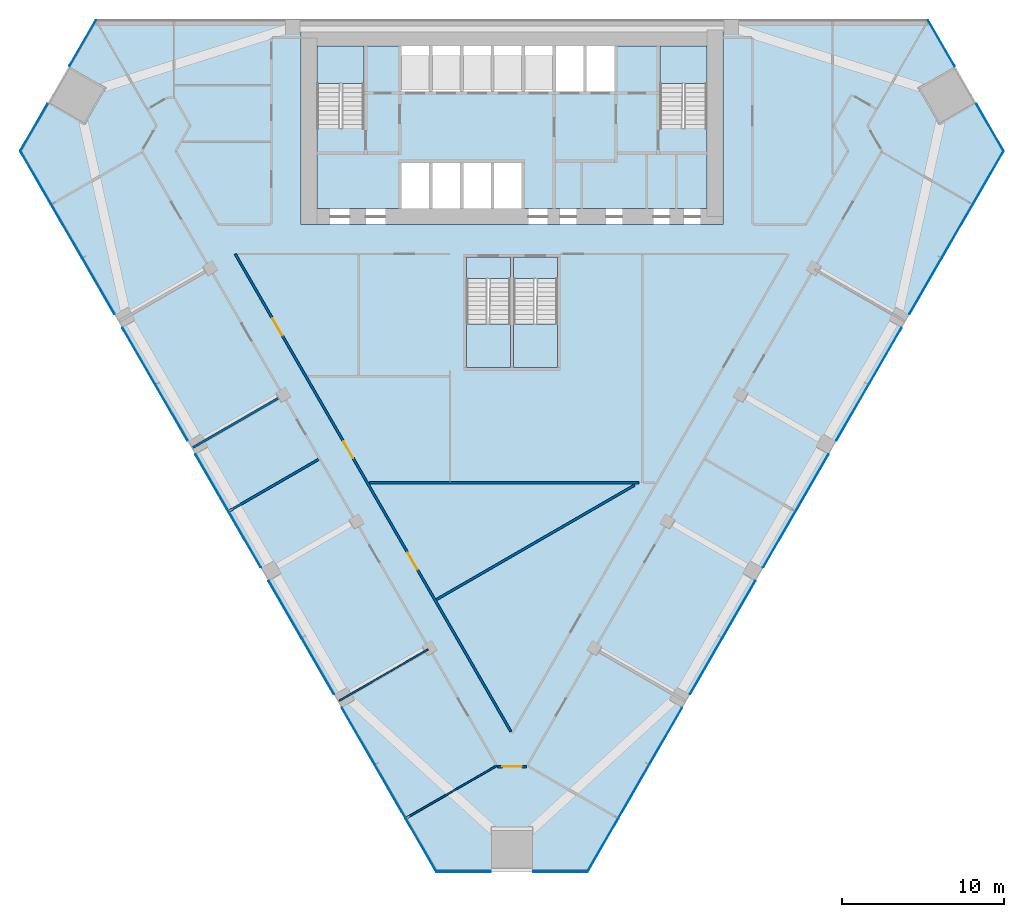
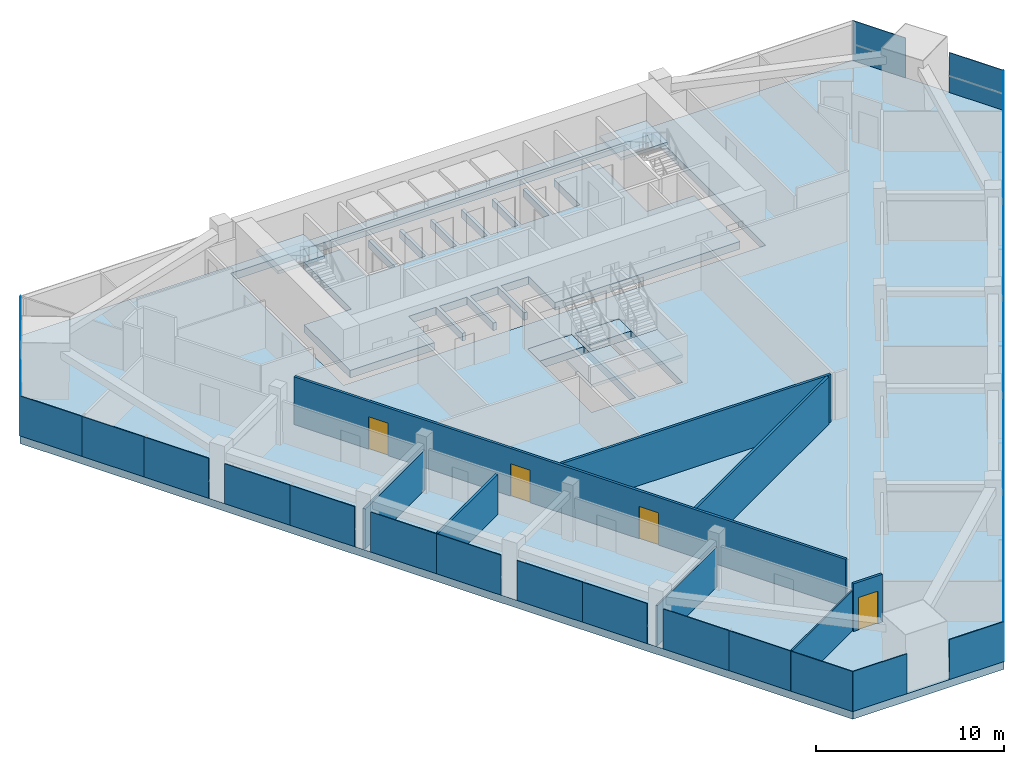
# One storey, part 8 of 13: 30 plates, 8 slabs, 8 walls, 4 doors, 4 openings, 9 elements without a shape of their own.
"""IFC4 building model written with IfcOpenShell, lengths in metres."""

from ifc_helpers import new_model, si_unit, direction, frame, frame_2d, origin, origin_2d, place, context, subcontext, project, spatial, polyline, rectangle, outline, extrude, material, layer, layer_set, type_object, element, fill, aggregate, save


model = new_model("IFC4")

# Units and contexts
model_context = context("Model", 3, precision=1e-05, world=origin(), true_north=direction((0.0, 1.0)))
body_context = subcontext(model_context, "Body", "Model", "MODEL_VIEW")
ifc_project = project(units=[si_unit("LENGTHUNIT", "METRE"), si_unit("AREAUNIT", "SQUARE_METRE"), si_unit("VOLUMEUNIT", "CUBIC_METRE"), si_unit("PLANEANGLEUNIT", "RADIAN"), si_unit("MASSUNIT", "GRAM", prefix="KILO")], contexts=[model_context])

# Site, building, storey
site_placement = place(None, origin())
site = spatial("IfcSite", under=ifc_project, at=site_placement, CompositionType="ELEMENT")
building_placement = place(site_placement, origin())
building = spatial("IfcBuilding", under=site, at=building_placement, Name="Altiplano Prism Tower", CompositionType="ELEMENT")
storey_placement = place(building_placement, frame((0.0, 0.0, 59.39990234375)))
storey = spatial("IfcBuildingStorey", under=building, at=storey_placement, Name="L14", CompositionType="ELEMENT", Elevation=59.39990234375)

# Curtain wall, plates
ifc_material_1 = material(Name="Aluminium and glass", Category="aluminium")
ifc_layer_1 = layer(ifc_material_1, 0.303955078125)
ifc_layer_set_1 = layer_set([ifc_layer_1], Name="Aluminium and glass")
curtain_wall_type = type_object("IfcCurtainWallType", Name="CW2 lounge-band unitised glazing", PredefinedType="NOTDEFINED", material=ifc_layer_set_1)
curtain_wall_1_placement = place(storey_placement, origin())
curtain_wall_1 = element("IfcCurtainWall", 1, at=curtain_wall_1_placement, inside=storey, type_object=curtain_wall_type, Name="CW2 curtain wall north-west chamfer L14", PredefinedType="NOTDEFINED")
ifc_material_2 = material(Name="Clear glass", Category="glass")
ifc_layer_2 = layer(ifc_material_2, 0.0439453125)
ifc_layer_set_2 = layer_set([ifc_layer_2], Name="Clear glass")
plate_type = type_object("IfcPlateType", Name="CW2 insulated glass unit 44", PredefinedType="CURTAIN_PANEL", material=ifc_layer_set_2)
plate_1_placement = place(storey_placement, frame((58.57470703125, 103.571533203125, 0.0), z_axis=(0.0, 0.0, 1.0), x_axis=(-0.500000058616, -0.866025369943, 0.0)))
plate_1 = element("IfcPlate", 2, at=plate_1_placement, type_object=plate_type, Name="CW2 panel", PredefinedType="CURTAIN_PANEL", context=body_context, shape_type="SweptSolid", body=[
    extrude(rectangle(XDim=3.263671875, YDim=0.0439453125, at=origin_2d()), origin(), (0.0, 0.0, 1.0), 2.60009765625),
])
plate_2_placement = place(storey_placement, frame((55.577880859375, 98.380859375, 0.0), z_axis=(0.0, 0.0, 1.0), x_axis=(-0.500000058616, -0.866025369943, 0.0)))
plate_2 = element("IfcPlate", 3, at=plate_2_placement, type_object=plate_type, Name="CW2 panel", PredefinedType="CURTAIN_PANEL", context=body_context, shape_type="SweptSolid", body=[
    extrude(rectangle(XDim=3.34375, YDim=0.0439453125, at=origin_2d()), origin(), (0.0, 0.0, 1.0), 2.60009765625),
])
aggregate(curtain_wall_1, [plate_1, plate_2])

curtain_wall_2_placement = place(storey_placement, origin())
curtain_wall_2 = element("IfcCurtainWall", 4, at=curtain_wall_2_placement, inside=storey, type_object=curtain_wall_type, Name="CW2 curtain wall south-west face L14", PredefinedType="NOTDEFINED")
plate_3_placement = place(storey_placement, frame((55.692626953125, 95.299560546875, 0.0), z_axis=(0.0, 0.0, 1.0), x_axis=(0.499999993939, -0.866025407284, 0.0)))
plate_3 = element("IfcPlate", 5, at=plate_3_placement, type_object=plate_type, Name="CW2 panel", PredefinedType="CURTAIN_PANEL", context=body_context, shape_type="SweptSolid", body=[
    extrude(rectangle(XDim=3.802978515625, YDim=0.0439453125, at=origin_2d()), origin(), (0.0, 0.0, 1.0), 2.60009765625),
])
plate_4_placement = place(storey_placement, frame((57.59912109375, 91.99755859375, 0.0), z_axis=(0.0, 0.0, 1.0), x_axis=(0.499999993939, -0.866025407284, 0.0)))
plate_4 = element("IfcPlate", 6, at=plate_4_placement, type_object=plate_type, Name="CW2 panel", PredefinedType="CURTAIN_PANEL", context=body_context, shape_type="SweptSolid", body=[
    extrude(rectangle(XDim=3.802978515625, YDim=0.0439453125, at=origin_2d()), origin(), (0.0, 0.0, 1.0), 2.60009765625),
])
plate_5_placement = place(storey_placement, frame((59.545166015625, 88.627197265625, 0.0), z_axis=(0.0, 0.0, 1.0), x_axis=(0.499999993939, -0.866025407284, 0.0)))
plate_5 = element("IfcPlate", 7, at=plate_5_placement, type_object=plate_type, Name="CW2 panel", PredefinedType="CURTAIN_PANEL", context=body_context, shape_type="SweptSolid", body=[
    extrude(rectangle(XDim=3.96044921875, YDim=0.0439453125, at=origin_2d()), origin(), (0.0, 0.0, 1.0), 2.60009765625),
])
plate_6_placement = place(storey_placement, frame((62.0400390625, 84.3056640625, 0.0), z_axis=(0.0, 0.0, 1.0), x_axis=(0.499999993939, -0.866025407284, 0.0)))
plate_6 = element("IfcPlate", 8, at=plate_6_placement, type_object=plate_type, Name="CW2 panel", PredefinedType="CURTAIN_PANEL", context=body_context, shape_type="SweptSolid", body=[
    extrude(rectangle(XDim=4.039306640625, YDim=0.0439453125, at=origin_2d()), origin(), (0.0, 0.0, 1.0), 2.60009765625),
])
plate_7_placement = place(storey_placement, frame((64.045166015625, 80.832763671875, 0.0), z_axis=(0.0, 0.0, 1.0), x_axis=(0.499999993939, -0.866025407284, 0.0)))
plate_7 = element("IfcPlate", 9, at=plate_7_placement, type_object=plate_type, Name="CW2 panel", PredefinedType="CURTAIN_PANEL", context=body_context, shape_type="SweptSolid", body=[
    extrude(rectangle(XDim=3.96044921875, YDim=0.0439453125, at=origin_2d()), origin(), (0.0, 0.0, 1.0), 2.60009765625),
])
plate_8_placement = place(storey_placement, frame((66.5400390625, 76.51123046875, 0.0), z_axis=(0.0, 0.0, 1.0), x_axis=(0.499999993939, -0.866025407284, 0.0)))
plate_8 = element("IfcPlate", 10, at=plate_8_placement, type_object=plate_type, Name="CW2 panel", PredefinedType="CURTAIN_PANEL", context=body_context, shape_type="SweptSolid", body=[
    extrude(rectangle(XDim=4.039306640625, YDim=0.0439453125, at=origin_2d()), origin(), (0.0, 0.0, 1.0), 2.60009765625),
])
plate_9_placement = place(storey_placement, frame((68.545166015625, 73.03857421875, 0.0), z_axis=(0.0, 0.0, 1.0), x_axis=(0.499999993939, -0.866025407284, 0.0)))
plate_9 = element("IfcPlate", 11, at=plate_9_placement, type_object=plate_type, Name="CW2 panel", PredefinedType="CURTAIN_PANEL", context=body_context, shape_type="SweptSolid", body=[
    extrude(rectangle(XDim=3.96044921875, YDim=0.0439453125, at=origin_2d()), origin(), (0.0, 0.0, 1.0), 2.60009765625),
])
plate_10_placement = place(storey_placement, frame((71.0400390625, 68.717041015625, 0.0), z_axis=(0.0, 0.0, 1.0), x_axis=(0.499999993939, -0.866025407284, 0.0)))
plate_10 = element("IfcPlate", 12, at=plate_10_placement, type_object=plate_type, Name="CW2 panel", PredefinedType="CURTAIN_PANEL", context=body_context, shape_type="SweptSolid", body=[
    extrude(rectangle(XDim=4.039306640625, YDim=0.0439453125, at=origin_2d()), origin(), (0.0, 0.0, 1.0), 2.60009765625),
])
plate_11_placement = place(storey_placement, frame((73.045166015625, 65.244384765625, 0.0), z_axis=(0.0, 0.0, 1.0), x_axis=(0.499999993939, -0.866025407284, 0.0)))
plate_11 = element("IfcPlate", 13, at=plate_11_placement, type_object=plate_type, Name="CW2 panel", PredefinedType="CURTAIN_PANEL", context=body_context, shape_type="SweptSolid", body=[
    extrude(rectangle(XDim=3.96044921875, YDim=0.0439453125, at=origin_2d()), origin(), (0.0, 0.0, 1.0), 2.60009765625),
])
plate_12_placement = place(storey_placement, frame((75.5400390625, 60.9228515625, 0.0), z_axis=(0.0, 0.0, 1.0), x_axis=(0.499999993939, -0.866025407284, 0.0)))
plate_12 = element("IfcPlate", 14, at=plate_12_placement, type_object=plate_type, Name="CW2 panel", PredefinedType="CURTAIN_PANEL", context=body_context, shape_type="SweptSolid", body=[
    extrude(rectangle(XDim=4.039306640625, YDim=0.0439453125, at=origin_2d()), origin(), (0.0, 0.0, 1.0), 2.60009765625),
])
plate_13_placement = place(storey_placement, frame((77.505615234375, 57.518310546875, 0.0), z_axis=(0.0, 0.0, 1.0), x_axis=(0.499999993939, -0.866025407284, 0.0)))
plate_13 = element("IfcPlate", 15, at=plate_13_placement, type_object=plate_type, Name="CW2 panel", PredefinedType="CURTAIN_PANEL", context=body_context, shape_type="SweptSolid", body=[
    extrude(rectangle(XDim=3.802978515625, YDim=0.0439453125, at=origin_2d()), origin(), (0.0, 0.0, 1.0), 2.60009765625),
])
plate_14_placement = place(storey_placement, frame((79.412109375, 54.21630859375, 0.0), z_axis=(0.0, 0.0, 1.0), x_axis=(0.499999993939, -0.866025407284, 0.0)))
plate_14 = element("IfcPlate", 16, at=plate_14_placement, type_object=plate_type, Name="CW2 panel", PredefinedType="CURTAIN_PANEL", context=body_context, shape_type="SweptSolid", body=[
    extrude(rectangle(XDim=3.802978515625, YDim=0.0439453125, at=origin_2d()), origin(), (0.0, 0.0, 1.0), 2.60009765625),
])
aggregate(curtain_wall_2, [plate_3, plate_4, plate_5, plate_6, plate_7, plate_8, plate_9, plate_10, plate_11, plate_12, plate_13, plate_14])

curtain_wall_3_placement = place(storey_placement, origin())
curtain_wall_3 = element("IfcCurtainWall", 17, at=curtain_wall_3_placement, inside=storey, type_object=curtain_wall_type, Name="CW2 curtain wall south chamfer L14", PredefinedType="NOTDEFINED")
plate_15_placement = place(storey_placement, frame((82.023193359375, 52.576171875, 0.0), z_axis=(0.0, 0.0, 1.0), x_axis=(1.0, 0.0, 0.0)))
plate_15 = element("IfcPlate", 18, at=plate_15_placement, type_object=plate_type, Name="CW2 panel", PredefinedType="CURTAIN_PANEL", context=body_context, shape_type="SweptSolid", body=[
    extrude(rectangle(XDim=3.34375, YDim=0.0439453125, at=origin_2d()), origin(), (0.0, 0.0, 1.0), 2.60009765625),
])
plate_16_placement = place(storey_placement, frame((87.976806640625, 52.576171875, 0.0), z_axis=(0.0, 0.0, 1.0), x_axis=(1.0, 0.0, 0.0)))
plate_16 = element("IfcPlate", 19, at=plate_16_placement, type_object=plate_type, Name="CW2 panel", PredefinedType="CURTAIN_PANEL", context=body_context, shape_type="SweptSolid", body=[
    extrude(rectangle(XDim=3.34375, YDim=0.0439453125, at=origin_2d()), origin(), (0.0, 0.0, 1.0), 2.60009765625),
])
aggregate(curtain_wall_3, [plate_15, plate_16])

curtain_wall_4_placement = place(storey_placement, origin())
curtain_wall_4 = element("IfcCurtainWall", 20, at=curtain_wall_4_placement, inside=storey, type_object=curtain_wall_type, Name="CW2 curtain wall south-east face L14", PredefinedType="NOTDEFINED")
plate_17_placement = place(storey_placement, frame((90.587890625, 54.21630859375, 0.0), z_axis=(0.0, 0.0, 1.0), x_axis=(0.499999993939, 0.866025407284, 0.0)))
plate_17 = element("IfcPlate", 21, at=plate_17_placement, type_object=plate_type, Name="CW2 panel", PredefinedType="CURTAIN_PANEL", context=body_context, shape_type="SweptSolid", body=[
    extrude(rectangle(XDim=3.802978515625, YDim=0.0439453125, at=origin_2d()), origin(), (0.0, 0.0, 1.0), 2.60009765625),
])
plate_18_placement = place(storey_placement, frame((92.494384765625, 57.518310546875, 0.0), z_axis=(0.0, 0.0, 1.0), x_axis=(0.499999993939, 0.866025407284, 0.0)))
plate_18 = element("IfcPlate", 22, at=plate_18_placement, type_object=plate_type, Name="CW2 panel", PredefinedType="CURTAIN_PANEL", context=body_context, shape_type="SweptSolid", body=[
    extrude(rectangle(XDim=3.802978515625, YDim=0.0439453125, at=origin_2d()), origin(), (0.0, 0.0, 1.0), 2.60009765625),
])
plate_19_placement = place(storey_placement, frame((94.4599609375, 60.9228515625, 0.0), z_axis=(0.0, 0.0, 1.0), x_axis=(0.499999993939, 0.866025407284, 0.0)))
plate_19 = element("IfcPlate", 23, at=plate_19_placement, type_object=plate_type, Name="CW2 panel", PredefinedType="CURTAIN_PANEL", context=body_context, shape_type="SweptSolid", body=[
    extrude(rectangle(XDim=4.039306640625, YDim=0.0439453125, at=origin_2d()), origin(), (0.0, 0.0, 1.0), 2.60009765625),
])
plate_20_placement = place(storey_placement, frame((96.954833984375, 65.244384765625, 0.0), z_axis=(0.0, 0.0, 1.0), x_axis=(0.499999993939, 0.866025407284, 0.0)))
plate_20 = element("IfcPlate", 24, at=plate_20_placement, type_object=plate_type, Name="CW2 panel", PredefinedType="CURTAIN_PANEL", context=body_context, shape_type="SweptSolid", body=[
    extrude(rectangle(XDim=3.96044921875, YDim=0.0439453125, at=origin_2d()), origin(), (0.0, 0.0, 1.0), 2.60009765625),
])
plate_21_placement = place(storey_placement, frame((98.9599609375, 68.717041015625, 0.0), z_axis=(0.0, 0.0, 1.0), x_axis=(0.499999993939, 0.866025407284, 0.0)))
plate_21 = element("IfcPlate", 25, at=plate_21_placement, type_object=plate_type, Name="CW2 panel", PredefinedType="CURTAIN_PANEL", context=body_context, shape_type="SweptSolid", body=[
    extrude(rectangle(XDim=4.039306640625, YDim=0.0439453125, at=origin_2d()), origin(), (0.0, 0.0, 1.0), 2.60009765625),
])
plate_22_placement = place(storey_placement, frame((101.454833984375, 73.03857421875, 0.0), z_axis=(0.0, 0.0, 1.0), x_axis=(0.499999993939, 0.866025407284, 0.0)))
plate_22 = element("IfcPlate", 26, at=plate_22_placement, type_object=plate_type, Name="CW2 panel", PredefinedType="CURTAIN_PANEL", context=body_context, shape_type="SweptSolid", body=[
    extrude(rectangle(XDim=3.96044921875, YDim=0.0439453125, at=origin_2d()), origin(), (0.0, 0.0, 1.0), 2.60009765625),
])
plate_23_placement = place(storey_placement, frame((103.4599609375, 76.51123046875, 0.0), z_axis=(0.0, 0.0, 1.0), x_axis=(0.499999993939, 0.866025407284, 0.0)))
plate_23 = element("IfcPlate", 27, at=plate_23_placement, type_object=plate_type, Name="CW2 panel", PredefinedType="CURTAIN_PANEL", context=body_context, shape_type="SweptSolid", body=[
    extrude(rectangle(XDim=4.039306640625, YDim=0.0439453125, at=origin_2d()), origin(), (0.0, 0.0, 1.0), 2.60009765625),
])
plate_24_placement = place(storey_placement, frame((105.954833984375, 80.832763671875, 0.0), z_axis=(0.0, 0.0, 1.0), x_axis=(0.499999993939, 0.866025407284, 0.0)))
plate_24 = element("IfcPlate", 28, at=plate_24_placement, type_object=plate_type, Name="CW2 panel", PredefinedType="CURTAIN_PANEL", context=body_context, shape_type="SweptSolid", body=[
    extrude(rectangle(XDim=3.96044921875, YDim=0.0439453125, at=origin_2d()), origin(), (0.0, 0.0, 1.0), 2.60009765625),
])
plate_25_placement = place(storey_placement, frame((107.9599609375, 84.3056640625, 0.0), z_axis=(0.0, 0.0, 1.0), x_axis=(0.499999993939, 0.866025407284, 0.0)))
plate_25 = element("IfcPlate", 29, at=plate_25_placement, type_object=plate_type, Name="CW2 panel", PredefinedType="CURTAIN_PANEL", context=body_context, shape_type="SweptSolid", body=[
    extrude(rectangle(XDim=4.039306640625, YDim=0.0439453125, at=origin_2d()), origin(), (0.0, 0.0, 1.0), 2.60009765625),
])
plate_26_placement = place(storey_placement, frame((110.454833984375, 88.627197265625, 0.0), z_axis=(0.0, 0.0, 1.0), x_axis=(0.499999993939, 0.866025407284, 0.0)))
plate_26 = element("IfcPlate", 30, at=plate_26_placement, type_object=plate_type, Name="CW2 panel", PredefinedType="CURTAIN_PANEL", context=body_context, shape_type="SweptSolid", body=[
    extrude(rectangle(XDim=3.96044921875, YDim=0.0439453125, at=origin_2d()), origin(), (0.0, 0.0, 1.0), 2.60009765625),
])
plate_27_placement = place(storey_placement, frame((112.40087890625, 91.99755859375, 0.0), z_axis=(0.0, 0.0, 1.0), x_axis=(0.499999993939, 0.866025407284, 0.0)))
plate_27 = element("IfcPlate", 31, at=plate_27_placement, type_object=plate_type, Name="CW2 panel", PredefinedType="CURTAIN_PANEL", context=body_context, shape_type="SweptSolid", body=[
    extrude(rectangle(XDim=3.802978515625, YDim=0.0439453125, at=origin_2d()), origin(), (0.0, 0.0, 1.0), 2.60009765625),
])
plate_28_placement = place(storey_placement, frame((114.307373046875, 95.299560546875, 0.0), z_axis=(0.0, 0.0, 1.0), x_axis=(0.499999993939, 0.866025407284, 0.0)))
plate_28 = element("IfcPlate", 32, at=plate_28_placement, type_object=plate_type, Name="CW2 panel", PredefinedType="CURTAIN_PANEL", context=body_context, shape_type="SweptSolid", body=[
    extrude(rectangle(XDim=3.802978515625, YDim=0.0439453125, at=origin_2d()), origin(), (0.0, 0.0, 1.0), 2.60009765625),
])
aggregate(curtain_wall_4, [plate_17, plate_18, plate_19, plate_20, plate_21, plate_22, plate_23, plate_24, plate_25, plate_26, plate_27, plate_28])

curtain_wall_5_placement = place(storey_placement, origin())
curtain_wall_5 = element("IfcCurtainWall", 33, at=curtain_wall_5_placement, inside=storey, type_object=curtain_wall_type, Name="CW2 curtain wall north-east chamfer L14", PredefinedType="NOTDEFINED")
plate_29_placement = place(storey_placement, frame((114.422119140625, 98.380859375, 0.0), z_axis=(0.0, 0.0, 1.0), x_axis=(-0.500000058616, 0.866025369943, 0.0)))
plate_29 = element("IfcPlate", 34, at=plate_29_placement, type_object=plate_type, Name="CW2 panel", PredefinedType="CURTAIN_PANEL", context=body_context, shape_type="SweptSolid", body=[
    extrude(rectangle(XDim=3.34375, YDim=0.0439453125, at=origin_2d()), origin(), (0.0, 0.0, 1.0), 2.60009765625),
])
plate_30_placement = place(storey_placement, frame((111.42529296875, 103.571533203125, 0.0), z_axis=(0.0, 0.0, 1.0), x_axis=(-0.500000058616, 0.866025369943, 0.0)))
plate_30 = element("IfcPlate", 35, at=plate_30_placement, type_object=plate_type, Name="CW2 panel", PredefinedType="CURTAIN_PANEL", context=body_context, shape_type="SweptSolid", body=[
    extrude(rectangle(XDim=3.263671875, YDim=0.0439453125, at=origin_2d()), origin(), (0.0, 0.0, 1.0), 2.60009765625),
])
aggregate(curtain_wall_5, [plate_29, plate_30])

# Slabs
ifc_material_3 = material(Name="Concrete C40/50", Category="concrete")
ifc_layer_3 = layer(ifc_material_3, 0.5)
ifc_layer_set_3 = layer_set([ifc_layer_3], Name="Concrete C40/50")
slab_type_1 = type_object("IfcSlabType", Name="Core floor slab 500", PredefinedType="FLOOR", material=ifc_layer_set_3)
slab_1_placement = place(storey_placement, frame((0.0, 0.0, -0.5)))
element("IfcSlab", 36, at=slab_1_placement, inside=storey, type_object=slab_type_1, Name="Core floor slab L14", PredefinedType="FLOOR", context=body_context, shape_type="SweptSolid", body=[
    extrude(outline(polyline([(97.0, 98.31005859375), (94.10009765625, 98.31005859375), (94.10009765625, 103.39990234375), (91.300048828125, 103.39990234375), (91.300048828125, 100.60009765625), (89.60009765625, 100.60009765625), (89.60009765625, 103.39990234375), (89.39990234375, 103.39990234375), (89.39990234375, 100.60009765625), (87.699951171875, 100.60009765625), (87.699951171875, 103.39990234375), (87.5, 103.39990234375), (87.5, 100.60009765625), (85.800048828125, 100.60009765625), (85.800048828125, 103.39990234375), (85.60009765625, 103.39990234375), (85.60009765625, 100.60009765625), (83.89990234375, 100.60009765625), (83.89990234375, 103.39990234375), (83.699951171875, 103.39990234375), (83.699951171875, 100.60009765625), (82.0, 100.60009765625), (82.0, 103.39990234375), (81.800048828125, 103.39990234375), (81.800048828125, 100.60009765625), (80.10009765625, 100.60009765625), (80.10009765625, 103.39990234375), (79.89990234375, 103.39990234375), (79.89990234375, 100.60009765625), (78.199951171875, 100.60009765625), (78.199951171875, 103.39990234375), (75.89990234375, 103.39990234375), (75.89990234375, 98.31005859375), (73.0, 98.31005859375), (73.0, 93.39990234375), (78.199951171875, 93.39990234375), (78.199951171875, 96.199951171875), (79.89990234375, 96.199951171875), (79.89990234375, 93.39990234375), (80.10009765625, 93.39990234375), (80.10009765625, 96.199951171875), (81.800048828125, 96.199951171875), (81.800048828125, 93.39990234375), (82.0, 93.39990234375), (82.0, 96.199951171875), (83.699951171875, 96.199951171875), (83.699951171875, 93.39990234375), (83.89990234375, 93.39990234375), (83.89990234375, 96.199951171875), (85.60009765625, 96.199951171875), (85.60009765625, 93.39990234375), (97.0, 93.39990234375), (97.0, 98.31005859375)])), origin(), (0.0, 0.0, 1.0), 0.5),
])
slab_2_placement = place(storey_placement, frame((0.0, 0.0, -0.5)))
element("IfcSlab", 37, at=slab_2_placement, inside=storey, type_object=slab_type_1, Name="Stair 3A landing slab L14", PredefinedType="FLOOR", context=body_context, shape_type="SweptSolid", body=[
    extrude(outline(polyline([(82.199951171875, 89.096923828125), (84.89990234375, 89.096923828125), (84.89990234375, 90.39990234375), (82.199951171875, 90.39990234375), (82.199951171875, 89.096923828125)])), origin(), (0.0, 0.0, 1.0), 0.5),
])
slab_3_placement = place(storey_placement, frame((0.0, 0.0, -0.5)))
element("IfcSlab", 38, at=slab_3_placement, inside=storey, type_object=slab_type_1, Name="Stair 3B landing slab L14", PredefinedType="FLOOR", context=body_context, shape_type="SweptSolid", body=[
    extrude(outline(polyline([(85.10009765625, 89.096923828125), (87.800048828125, 89.096923828125), (87.800048828125, 90.39990234375), (85.10009765625, 90.39990234375), (85.10009765625, 89.096923828125)])), origin(), (0.0, 0.0, 1.0), 0.5),
])
ifc_layer_4 = layer(ifc_material_3, 0.5)
ifc_layer_set_4 = layer_set([ifc_layer_4], Name="Concrete C40/50")
slab_type_2 = type_object("IfcSlabType", Name="Post-tensioned flat slab 500", PredefinedType="FLOOR", material=ifc_layer_set_4)
slab_4_placement = place(storey_placement, frame((0.0, 0.0, -0.5)))
element("IfcSlab", 39, at=slab_4_placement, inside=storey, type_object=slab_type_2, Name="Floor slab L14", PredefinedType="FLOOR", context=body_context, shape_type="SweptSolid", body=[
    extrude(outline(polyline([(80.346435546875, 52.55419921875), (54.720458984375, 96.939697265625), (59.3740234375, 105.0), (110.6259765625, 105.0), (115.279541015625, 96.939697265625), (89.653564453125, 52.55419921875), (80.346435546875, 52.55419921875)]), holes=[polyline([(72.0, 104.39990234375), (72.0, 92.39990234375), (98.0, 92.39990234375), (98.0, 104.39990234375), (72.0, 104.39990234375)]), polyline([(84.89990234375, 90.39990234375), (82.199951171875, 90.39990234375), (82.199951171875, 83.60009765625), (84.89990234375, 83.60009765625), (84.89990234375, 90.39990234375)]), polyline([(87.800048828125, 83.60009765625), (87.800048828125, 90.39990234375), (85.10009765625, 90.39990234375), (85.10009765625, 83.60009765625), (87.800048828125, 83.60009765625)])]), origin(), (0.0, 0.0, 1.0), 0.5),
])

# Stair, slab
stair_type_1 = type_object("IfcStairType", Name="Exit stair 1400", PredefinedType="HALF_TURN_STAIR", material=ifc_material_3)
stair_1_placement = place(storey_placement, origin())
stair_1 = element("IfcStair", 40, at=stair_1_placement, inside=storey, type_object=stair_type_1, Name="L14 Exit Stair 1", PredefinedType="HALF_TURN_STAIR")
ifc_layer_5 = layer(ifc_material_3, 0.199951171875)
ifc_layer_set_5 = layer_set([ifc_layer_5], Name="Concrete C40/50")
slab_type_3 = type_object("IfcSlabType", Name="Stair landing 200", PredefinedType="LANDING", material=ifc_layer_set_5)
slab_5_placement = place(storey_placement, frame((0.0, 0.0, 1.60009765625)))
slab_5 = element("IfcSlab", 41, at=slab_5_placement, type_object=slab_type_3, Name="ST1 landing 1", PredefinedType="LANDING", context=body_context, shape_type="SweptSolid", body=[
    extrude(outline(polyline([(75.89990234375, 101.096923828125), (75.89990234375, 103.39990234375), (73.0, 103.39990234375), (73.0, 101.096923828125), (75.89990234375, 101.096923828125)])), origin(), (0.0, 0.0, 1.0), 0.199951171875),
])
aggregate(stair_1, [slab_5])

stair_2_placement = place(storey_placement, origin())
stair_2 = element("IfcStair", 42, at=stair_2_placement, inside=storey, type_object=stair_type_1, Name="L14 Exit Stair 2", PredefinedType="HALF_TURN_STAIR")
slab_6_placement = place(storey_placement, frame((0.0, 0.0, 1.60009765625)))
slab_6 = element("IfcSlab", 43, at=slab_6_placement, type_object=slab_type_3, Name="ST2 landing 1", PredefinedType="LANDING", context=body_context, shape_type="SweptSolid", body=[
    extrude(outline(polyline([(97.0, 101.096923828125), (97.0, 103.39990234375), (94.10009765625, 103.39990234375), (94.10009765625, 101.096923828125), (97.0, 101.096923828125)])), origin(), (0.0, 0.0, 1.0), 0.199951171875),
])
aggregate(stair_2, [slab_6])

stair_type_2 = type_object("IfcStairType", Name="Exit stair 1300", PredefinedType="HALF_TURN_STAIR", material=ifc_material_3)
stair_3_placement = place(storey_placement, origin())
stair_3 = element("IfcStair", 44, at=stair_3_placement, inside=storey, type_object=stair_type_2, Name="L14 Exit Stair 3A", PredefinedType="HALF_TURN_STAIR")
slab_7_placement = place(storey_placement, frame((0.0, 0.0, 1.60009765625)))
slab_7 = element("IfcSlab", 45, at=slab_7_placement, type_object=slab_type_3, Name="ST3A landing 1", PredefinedType="LANDING", context=body_context, shape_type="SweptSolid", body=[
    extrude(outline(polyline([(82.199951171875, 86.302978515625), (82.199951171875, 83.60009765625), (84.89990234375, 83.60009765625), (84.89990234375, 86.302978515625), (82.199951171875, 86.302978515625)])), origin(), (0.0, 0.0, 1.0), 0.199951171875),
])
aggregate(stair_3, [slab_7])

stair_4_placement = place(storey_placement, origin())
stair_4 = element("IfcStair", 46, at=stair_4_placement, inside=storey, type_object=stair_type_2, Name="L14 Exit Stair 3B", PredefinedType="HALF_TURN_STAIR")
slab_8_placement = place(storey_placement, frame((0.0, 0.0, 1.60009765625)))
slab_8 = element("IfcSlab", 47, at=slab_8_placement, type_object=slab_type_3, Name="ST3B landing 1", PredefinedType="LANDING", context=body_context, shape_type="SweptSolid", body=[
    extrude(outline(polyline([(85.10009765625, 86.302978515625), (85.10009765625, 83.60009765625), (87.800048828125, 83.60009765625), (87.800048828125, 86.302978515625), (85.10009765625, 86.302978515625)])), origin(), (0.0, 0.0, 1.0), 0.199951171875),
])
aggregate(stair_4, [slab_8])

# Walls
ifc_material_4 = material(Name="Plasterboard on steel stud", Category="steel")
ifc_layer_6 = layer(ifc_material_4, 0.10009765625)
ifc_layer_set_6 = layer_set([ifc_layer_6], Name="Plasterboard on steel stud")
wall_type_1 = type_object("IfcWallType", Name="Partition 100 wet", PredefinedType="PARTITIONING", material=ifc_layer_set_6)
wall_1_placement = place(storey_placement, frame((74.369873046875, 63.10546875, 0.0), z_axis=(0.0, 0.0, 1.0), x_axis=(0.866025537322, 0.499999768706, 0.0)))
element("IfcWall", 48, at=wall_1_placement, inside=storey, type_object=wall_type_1, Name="Partition P03 L14 035", PredefinedType="PARTITIONING", context=body_context, shape_type="SweptSolid", body=[
    extrude(rectangle(XDim=6.3251953125, YDim=0.10009765625, at=frame_2d((3.16259765625, 0.0))), origin(), (0.0, 0.0, 1.0), 2.60009765625),
])
wall_2_placement = place(storey_placement, frame((78.5263671875, 55.90625, 0.0), z_axis=(0.0, 0.0, 1.0), x_axis=(0.866018518567, 0.500011925357, 0.0)))
element("IfcWall", 49, at=wall_2_placement, inside=storey, type_object=wall_type_1, Name="Partition P03 L14 036", PredefinedType="PARTITIONING", context=body_context, shape_type="SweptSolid", body=[
    extrude(rectangle(XDim=6.400146484375, YDim=0.10009765625, at=frame_2d((3.2001953125, 0.0))), origin(), (0.0, 0.0, 1.0), 2.60009765625),
])

# Wall, opening, door
ifc_layer_7 = layer(ifc_material_4, 0.14990234375)
ifc_layer_set_7 = layer_set([ifc_layer_7], Name="Plasterboard on steel stud")
wall_type_2 = type_object("IfcWallType", Name="Partition 150 corridor", PredefinedType="PARTITIONING", material=ifc_layer_set_7)
wall_3_placement = place(storey_placement, frame((84.09912109375, 59.05419921875, 0.0), z_axis=(0.0, 0.0, 1.0), x_axis=(1.0, 0.0, 0.0)))
wall_3 = element("IfcWall", 50, at=wall_3_placement, inside=storey, type_object=wall_type_2, Name="Partition P06 L14 012", PredefinedType="PARTITIONING", context=body_context, shape_type="SweptSolid", body=[
    extrude(rectangle(XDim=1.8017578125, YDim=0.14990234375, at=frame_2d((0.90087890625, 0.0))), origin(), (0.0, 0.0, 1.0), 3.10009765625),
])
opening_1_placement = place(wall_3_placement, frame((0.301025390625, 0.0, 0.0)))
opening_1 = element("IfcOpeningElement", 51, at=opening_1_placement, cuts=wall_3, Name="Opening D0581", PredefinedType="OPENING", context=body_context, shape_type="SweptSolid", body=[
    extrude(rectangle(XDim=1.199951171875, YDim=2.10009765625, at=frame_2d((0.60009765625, 1.050048828125))), frame((0.0, 0.08544921875, 0.0), z_axis=(0.0, -1.0, 0.0), x_axis=(1.0, 0.0, 0.0)), (0.0, 0.0, 1.0), 0.1708984375),
])
ifc_material_5 = material(Name="Timber", Category="wood")
door_type = type_object("IfcDoorType", Name="Shared room door 1200 x 2100", OperationType="NOTDEFINED", PredefinedType="NOTDEFINED", material=ifc_material_5)
door_1_placement = place(opening_1_placement, origin())
door_1 = element("IfcDoor", 52, at=door_1_placement, inside=storey, type_object=door_type, Name="Door D0581", OperationType="SINGLE_SWING_LEFT", OverallHeight=2.10009765625, OverallWidth=1.199951171875, PredefinedType="NOTDEFINED", context=body_context, shape_type="SweptSolid", body=[
    extrude(rectangle(XDim=1.199951171875, YDim=2.10009765625, at=frame_2d((0.60009765625, 1.050048828125))), frame((0.0, 0.02490234375, 0.0), z_axis=(0.0, -1.0, 0.0), x_axis=(1.0, 0.0, 0.0)), (0.0, 0.0, 1.0), 0.050048828125),
])
fill(opening_1, door_1)

# Wall, openings, doors
wall_4_placement = place(storey_placement, frame((84.93505859375, 61.206298828125, 0.0), z_axis=(0.0, 0.0, 1.0), x_axis=(-0.499998703304, 0.866026152431, 0.0)))
wall_4 = element("IfcWall", 53, at=wall_4_placement, inside=storey, type_object=wall_type_2, Name="Partition P06 L14 017", PredefinedType="PARTITIONING", context=body_context, shape_type="SweptSolid", body=[
    extrude(rectangle(XDim=33.94091796875, YDim=0.14990234375, at=frame_2d((16.970458984375, 0.0))), origin(), (0.0, 0.0, 1.0), 3.10009765625),
])
opening_2_placement = place(wall_4_placement, frame((11.510986328125, 0.0, 0.0)))
opening_2 = element("IfcOpeningElement", 54, at=opening_2_placement, cuts=wall_4, Name="Opening D0590", PredefinedType="OPENING", context=body_context, shape_type="SweptSolid", body=[
    extrude(rectangle(XDim=1.199951171875, YDim=2.10009765625, at=frame_2d((0.60009765625, 1.050048828125))), frame((0.0, 0.08544921875, 0.0), z_axis=(0.0, -1.0, 0.0), x_axis=(1.0, 0.0, 0.0)), (0.0, 0.0, 1.0), 0.1708984375),
])
opening_3_placement = place(wall_4_placement, frame((19.426025390625, 0.0, 0.0)))
opening_3 = element("IfcOpeningElement", 55, at=opening_3_placement, cuts=wall_4, Name="Opening D0592", PredefinedType="OPENING", context=body_context, shape_type="SweptSolid", body=[
    extrude(rectangle(XDim=1.199951171875, YDim=2.10009765625, at=frame_2d((0.60009765625, 1.050048828125))), frame((0.0, 0.08544921875, 0.0), z_axis=(0.0, -1.0, 0.0), x_axis=(1.0, 0.0, 0.0)), (0.0, 0.0, 1.0), 0.1708984375),
])
opening_4_placement = place(wall_4_placement, frame((28.14599609375, 0.0, 0.0)))
opening_4 = element("IfcOpeningElement", 56, at=opening_4_placement, cuts=wall_4, Name="Opening D0594", PredefinedType="OPENING", context=body_context, shape_type="SweptSolid", body=[
    extrude(rectangle(XDim=1.199951171875, YDim=2.10009765625, at=frame_2d((0.60009765625, 1.050048828125))), frame((0.0, 0.08544921875, 0.0), z_axis=(0.0, -1.0, 0.0), x_axis=(1.0, 0.0, 0.0)), (0.0, 0.0, 1.0), 0.1708984375),
])
door_2_placement = place(opening_2_placement, origin())
door_2 = element("IfcDoor", 57, at=door_2_placement, inside=storey, type_object=door_type, Name="Door D0590", OperationType="SINGLE_SWING_LEFT", OverallHeight=2.10009765625, OverallWidth=1.199951171875, PredefinedType="NOTDEFINED", context=body_context, shape_type="SweptSolid", body=[
    extrude(rectangle(XDim=1.199951171875, YDim=2.10009765625, at=frame_2d((0.60009765625, 1.050048828125))), frame((0.0, 0.02490234375, 0.0), z_axis=(0.0, -1.0, 0.0), x_axis=(1.0, 0.0, 0.0)), (0.0, 0.0, 1.0), 0.050048828125),
])
fill(opening_2, door_2)
door_3_placement = place(opening_3_placement, origin())
door_3 = element("IfcDoor", 58, at=door_3_placement, inside=storey, type_object=door_type, Name="Door D0592", OperationType="SINGLE_SWING_LEFT", OverallHeight=2.10009765625, OverallWidth=1.199951171875, PredefinedType="NOTDEFINED", context=body_context, shape_type="SweptSolid", body=[
    extrude(rectangle(XDim=1.199951171875, YDim=2.10009765625, at=frame_2d((0.60009765625, 1.050048828125))), frame((0.0, 0.02490234375, 0.0), z_axis=(0.0, -1.0, 0.0), x_axis=(1.0, 0.0, 0.0)), (0.0, 0.0, 1.0), 0.050048828125),
])
fill(opening_3, door_3)
door_4_placement = place(opening_4_placement, origin())
door_4 = element("IfcDoor", 59, at=door_4_placement, inside=storey, type_object=door_type, Name="Door D0594", OperationType="SINGLE_SWING_LEFT", OverallHeight=2.10009765625, OverallWidth=1.199951171875, PredefinedType="NOTDEFINED", context=body_context, shape_type="SweptSolid", body=[
    extrude(rectangle(XDim=1.199951171875, YDim=2.10009765625, at=frame_2d((0.60009765625, 1.050048828125))), frame((0.0, 0.02490234375, 0.0), z_axis=(0.0, -1.0, 0.0), x_axis=(1.0, 0.0, 0.0)), (0.0, 0.0, 1.0), 0.050048828125),
])
fill(opening_4, door_4)

# Walls
ifc_layer_8 = layer(ifc_material_4, 0.14990234375)
ifc_layer_set_8 = layer_set([ifc_layer_8], Name="Plasterboard on steel stud")
wall_type_3 = type_object("IfcWallType", Name="Partition 150 party", PredefinedType="PARTITIONING", material=ifc_layer_set_8)
for number, where, z_axis, x_axis, name in (
    (60, (65.369873046875, 78.694091796875, 0.0), (0.0, 0.0, 1.0), (0.866042250622, 0.499970819286, 0.0), "Partition P01 L14 033"),
    (61, (67.619873046875, 74.796875, 0.0), (0.0, 0.0, 1.0), (0.866025537322, 0.499999768706, 0.0), "Partition P01 L14 034"),
):
    element("IfcWall", number, at=place(storey_placement, frame(where, z_axis=z_axis, x_axis=x_axis)), inside=storey, type_object=wall_type_3, Name=name, PredefinedType="PARTITIONING", context=body_context, shape_type="SweptSolid", body=[
        extrude(rectangle(XDim=6.3251953125, YDim=0.14990234375, at=frame_2d((3.16259765625, 0.0))), origin(), (0.0, 0.0, 1.0), 2.60009765625),
    ])
wall_5_placement = place(storey_placement, frame((92.548828125, 76.37451171875, 0.0), z_axis=(0.0, 0.0, 1.0), x_axis=(-0.866021839879, -0.500006172815, 0.0)))
element("IfcWall", 62, at=wall_5_placement, inside=storey, type_object=wall_type_3, Name="Partition P01 L14 044", PredefinedType="PARTITIONING", context=body_context, shape_type="SweptSolid", body=[
    extrude(rectangle(XDim=14.102783203125, YDim=0.14990234375, at=frame_2d((7.05126953125, 0.0))), origin(), (0.0, 0.0, 1.0), 3.10009765625),
])
wall_6_placement = place(storey_placement, frame((92.811279296875, 76.514404296875, 0.0), z_axis=(0.0, 0.0, 1.0), x_axis=(-1.0, 0.0, 0.0)))
element("IfcWall", 63, at=wall_6_placement, inside=storey, type_object=wall_type_3, Name="Partition P01 L14 047", PredefinedType="PARTITIONING", context=body_context, shape_type="SweptSolid", body=[
    extrude(rectangle(XDim=16.58447265625, YDim=0.14990234375, at=frame_2d((8.292236328125, 0.0))), origin(), (0.0, 0.0, 1.0), 3.10009765625),
])

save(model, "model.ifc")
